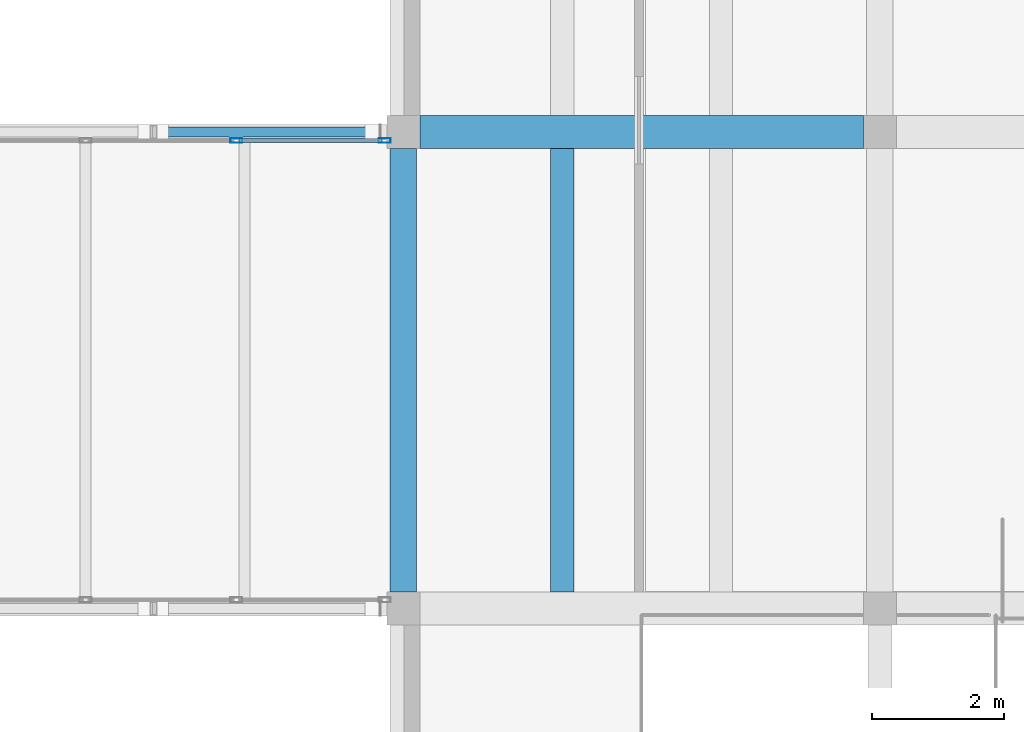
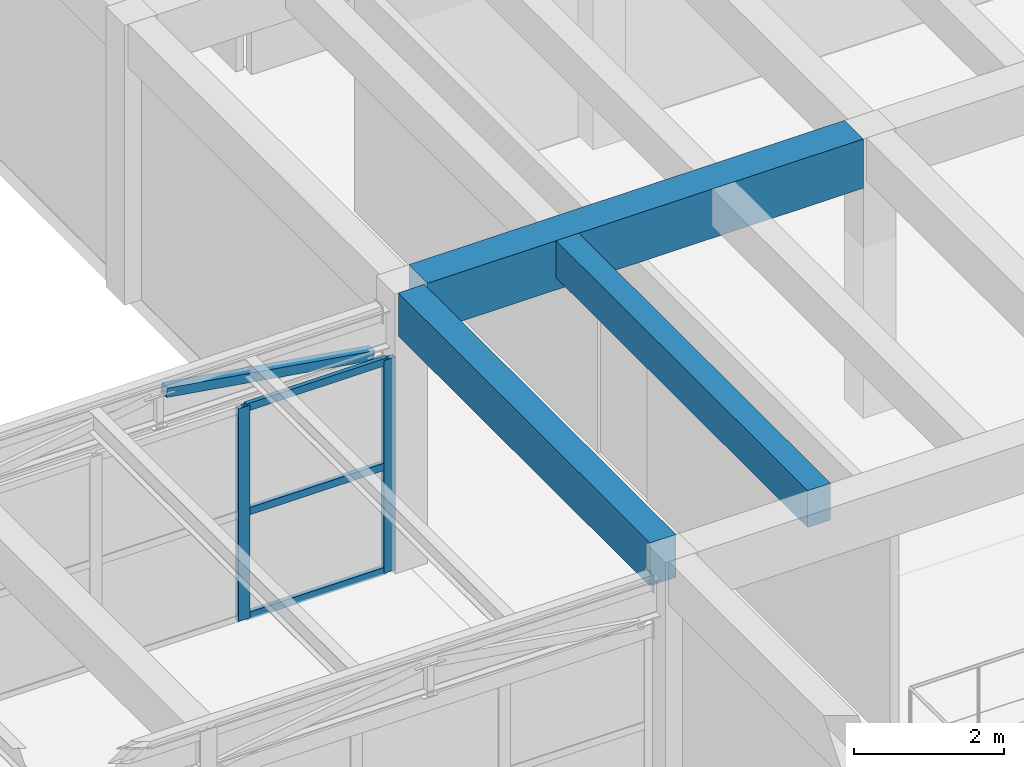
# One storey, part 26 of 153: 6 members, 3 beams, 1 element without a shape of its own.
"""IFC4 building model written with IfcOpenShell, lengths in metres."""

from ifc_helpers import new_model, si_unit, direction, frame, origin, origin_2d, place, context, subcontext, project, spatial, rectangle, hollow_rectangle, extrude, material, material_profile, profile_set, type_object, element, aggregate, save


model = new_model("IFC4")

# Units and contexts
model_context = context("Model", 3, precision=1e-05, world=origin(), true_north=direction((0.0, 1.0)))
body_context = subcontext(model_context, "Body", "Model", "MODEL_VIEW")
ifc_project = project(units=[si_unit("LENGTHUNIT", "METRE"), si_unit("AREAUNIT", "SQUARE_METRE"), si_unit("VOLUMEUNIT", "CUBIC_METRE"), si_unit("PLANEANGLEUNIT", "RADIAN"), si_unit("MASSUNIT", "GRAM", prefix="KILO")], contexts=[model_context])

# Site, building, storey
site_placement = place(None, origin())
site = spatial("IfcSite", under=ifc_project, at=site_placement, CompositionType="ELEMENT")
building_placement = place(site_placement, origin())
building = spatial("IfcBuilding", under=site, at=building_placement, Name="Bramvelor Terrace Health Centre", CompositionType="ELEMENT")
storey_placement = place(building_placement, frame((0.0, 0.0, 4.800048828125)))
storey = spatial("IfcBuildingStorey", under=building, at=storey_placement, Name="L02", CompositionType="ELEMENT", Elevation=4.800048828125)

# Beams
ifc_material_1 = material(Name="Concrete C40/50", Category="concrete")
ifc_material_profile_1 = material_profile(ifc_material_1, rectangle(XDim=0.39990234375, YDim=0.699951171875, at=origin_2d()), Name="RC 400x700")
ifc_profile_set_1 = profile_set([ifc_material_profile_1], Name="Concrete C40/50")
beam_type_1 = type_object("IfcBeamType", Name="BM-RC-G700", PredefinedType="BEAM", material=ifc_profile_set_1)
beam_1_placement = place(storey_placement, frame((43.199951171875, 50.64990234375, 4.199951171875), z_axis=(0.0, 1.0, 0.0), x_axis=(-1.0, 0.0, 0.0)))
element("IfcBeam", 1, at=beam_1_placement, inside=storey, type_object=beam_type_1, Name="L02 Floor Girder", PredefinedType="BEAM", context=body_context, shape_type="SweptSolid", body=[
    extrude(rectangle(XDim=0.39990234375, YDim=0.699951171875, at=origin_2d()), origin(), (0.0, 0.0, 1.0), 6.7001953125),
])
ifc_material_2 = material(Name="Concrete C40/50", Category="concrete")
ifc_material_profile_2 = material_profile(ifc_material_2, rectangle(XDim=0.5, YDim=0.800048828125, at=origin_2d()), Name="RC 500x800")
ifc_profile_set_2 = profile_set([ifc_material_profile_2], Name="Concrete C40/50")
beam_type_2 = type_object("IfcBeamType", Name="BM-RC-G800", PredefinedType="BEAM", material=ifc_profile_set_2)
beam_2_placement = place(storey_placement, frame((43.449951171875, 57.60009765625, 4.14990234375), z_axis=(1.0, 0.0, 0.0), x_axis=(0.0, 1.0, 0.0)))
element("IfcBeam", 2, at=beam_2_placement, inside=storey, type_object=beam_type_2, Name="L02 Floor Girder", PredefinedType="BEAM", context=body_context, shape_type="SweptSolid", body=[
    extrude(rectangle(XDim=0.5, YDim=0.800048828125, at=origin_2d()), origin(), (0.0, 0.0, 1.0), 6.699951171875),
])
ifc_material_3 = material(Name="Concrete C40/50", Category="concrete")
ifc_material_profile_3 = material_profile(ifc_material_3, rectangle(XDim=0.35009765625, YDim=0.60009765625, at=origin_2d()), Name="RC 350x600")
ifc_profile_set_3 = profile_set([ifc_material_profile_3], Name="Concrete C40/50")
beam_type_3 = type_object("IfcBeamType", Name="BM-RC-J600", PredefinedType="JOIST", material=ifc_profile_set_3)
beam_3_placement = place(storey_placement, frame((45.60009765625, 50.64990234375, 4.25), z_axis=(0.0, 1.0, 0.0), x_axis=(-1.0, 0.0, 0.0)))
element("IfcBeam", 3, at=beam_3_placement, inside=storey, type_object=beam_type_3, Name="L02 Secondary Floor Joist", PredefinedType="JOIST", context=body_context, shape_type="SweptSolid", body=[
    extrude(rectangle(XDim=0.35009765625, YDim=0.60009765625, at=origin_2d()), origin(), (0.0, 0.0, 1.0), 6.7001953125),
])

# Curtain wall, members
ifc_material_4 = material(Name="Anodized aluminium and double low-E glass", Category="aluminium")
curtain_wall_type = type_object("IfcCurtainWallType", Name="CW-SYS-01", PredefinedType="NOTDEFINED", material=ifc_material_4)
curtain_wall_placement = place(storey_placement, origin())
curtain_wall = element("IfcCurtainWall", 4, at=curtain_wall_placement, inside=storey, type_object=curtain_wall_type, Name="L02 Unitized Curtain Wall 132", PredefinedType="NOTDEFINED")
ifc_material_5 = material(Name="Anodized aluminium 6063-T6", Category="aluminium")
ifc_material_profile_4 = material_profile(ifc_material_5, hollow_rectangle(XDim=0.074951171875, YDim=0.179931640625, WallThickness=0.00341796875, at=origin_2d()), Name="ALU-MUL 75x180x3.5")
ifc_profile_set_4 = profile_set([ifc_material_profile_4], Name="Anodized aluminium 6063-T6")
member_type_1 = type_object("IfcMemberType", Name="CW-MUL-65x180", PredefinedType="MULLION", material=ifc_profile_set_4)
member_1_placement = place(storey_placement, frame((40.677734375, 57.469970703125, 0.0), z_axis=(0.0, 0.0, 1.0), x_axis=(0.0, 1.0, 0.0)))
member_1 = element("IfcMember", 5, at=member_1_placement, type_object=member_type_1, Name="CW-01 mullion 3", PredefinedType="MULLION", context=body_context, shape_type="SweptSolid", body=[
    extrude(hollow_rectangle(XDim=0.074951171875, YDim=0.179931640625, WallThickness=0.00341796875, at=origin_2d()), origin(), (0.0, 0.0, 1.0), 3.4599609375),
])
member_2_placement = place(storey_placement, frame((42.91748046875, 57.469970703125, 0.0), z_axis=(0.0, 0.0, 1.0), x_axis=(0.0, 1.0, 0.0)))
member_2 = element("IfcMember", 6, at=member_2_placement, type_object=member_type_1, Name="CW-01 mullion 4", PredefinedType="MULLION", context=body_context, shape_type="SweptSolid", body=[
    extrude(hollow_rectangle(XDim=0.074951171875, YDim=0.179931640625, WallThickness=0.00341796875, at=origin_2d()), origin(), (0.0, 0.0, 1.0), 3.4599609375),
])
ifc_material_6 = material(Name="Anodized aluminium 6063-T6", Category="aluminium")
ifc_material_profile_5 = material_profile(ifc_material_6, hollow_rectangle(XDim=0.06494140625, YDim=0.1201171875, WallThickness=0.0029296875, at=origin_2d()), Name="ALU-TRN 65x120x3.0")
ifc_profile_set_5 = profile_set([ifc_material_profile_5], Name="Anodized aluminium 6063-T6")
member_type_2 = type_object("IfcMemberType", Name="CW-TRN-65x150", PredefinedType="USERDEFINED", material=ifc_profile_set_5)
member_3_placement = place(storey_placement, frame((40.71533203125, 57.469970703125, 0.032470703125), z_axis=(1.0, 0.0, 0.0), x_axis=(0.0, 1.0, 0.0)))
member_3 = element("IfcMember", 7, at=member_3_placement, type_object=member_type_2, Name="CW-01 transom 3.1", ObjectType="TRANSOM", PredefinedType="USERDEFINED", context=body_context, shape_type="SweptSolid", body=[
    extrude(hollow_rectangle(XDim=0.06494140625, YDim=0.1201171875, WallThickness=0.0029296875, at=origin_2d()), origin(), (0.0, 0.0, 1.0), 2.16455078125),
])
member_4_placement = place(storey_placement, frame((40.71533203125, 57.469970703125, 1.72998046875), z_axis=(1.0, 0.0, 0.0), x_axis=(0.0, 1.0, 0.0)))
member_4 = element("IfcMember", 8, at=member_4_placement, type_object=member_type_2, Name="CW-01 transom 3.2", ObjectType="TRANSOM", PredefinedType="USERDEFINED", context=body_context, shape_type="SweptSolid", body=[
    extrude(hollow_rectangle(XDim=0.06494140625, YDim=0.1201171875, WallThickness=0.0029296875, at=origin_2d()), origin(), (0.0, 0.0, 1.0), 2.16455078125),
])
member_5_placement = place(storey_placement, frame((40.71533203125, 57.469970703125, 3.427490234375), z_axis=(1.0, 0.0, 0.0), x_axis=(0.0, 1.0, 0.0)))
member_5 = element("IfcMember", 9, at=member_5_placement, type_object=member_type_2, Name="CW-01 transom 3.3", ObjectType="TRANSOM", PredefinedType="USERDEFINED", context=body_context, shape_type="SweptSolid", body=[
    extrude(hollow_rectangle(XDim=0.06494140625, YDim=0.1201171875, WallThickness=0.0029296875, at=origin_2d()), origin(), (0.0, 0.0, 1.0), 2.16455078125),
])
aggregate(curtain_wall, [member_1, member_2, member_3, member_4, member_5])

# Member
ifc_material_7 = material(Name="Steel S355J2", Category="steel")
ifc_material_profile_6 = material_profile(ifc_material_7, hollow_rectangle(XDim=0.14990234375, YDim=0.14990234375, WallThickness=0.00634765625, at=origin_2d()), Name="SHS 150x150x6.3")
ifc_profile_set_6 = profile_set([ifc_material_profile_6], Name="Steel S355J2")
member_type_3 = type_object("IfcMemberType", Name="MEM-STL-SHS150", PredefinedType="BRACE", material=ifc_profile_set_6)
member_6_placement = place(storey_placement, frame((39.544921875, 57.60009765625, 4.030029296875), z_axis=(0.987421259793, 0.0, -0.158111529335), x_axis=(0.0, 1.0, 0.0)))
element("IfcMember", 10, at=member_6_placement, inside=storey, type_object=member_type_3, Name="BR1 Bridge Truss Web Diagonal 3", PredefinedType="BRACE", context=body_context, shape_type="SweptSolid", body=[
    extrude(hollow_rectangle(XDim=0.14990234375, YDim=0.14990234375, WallThickness=0.00634765625, at=origin_2d()), origin(), (0.0, 0.0, 1.0), 3.2255859375),
])

save(model, "model.ifc")
